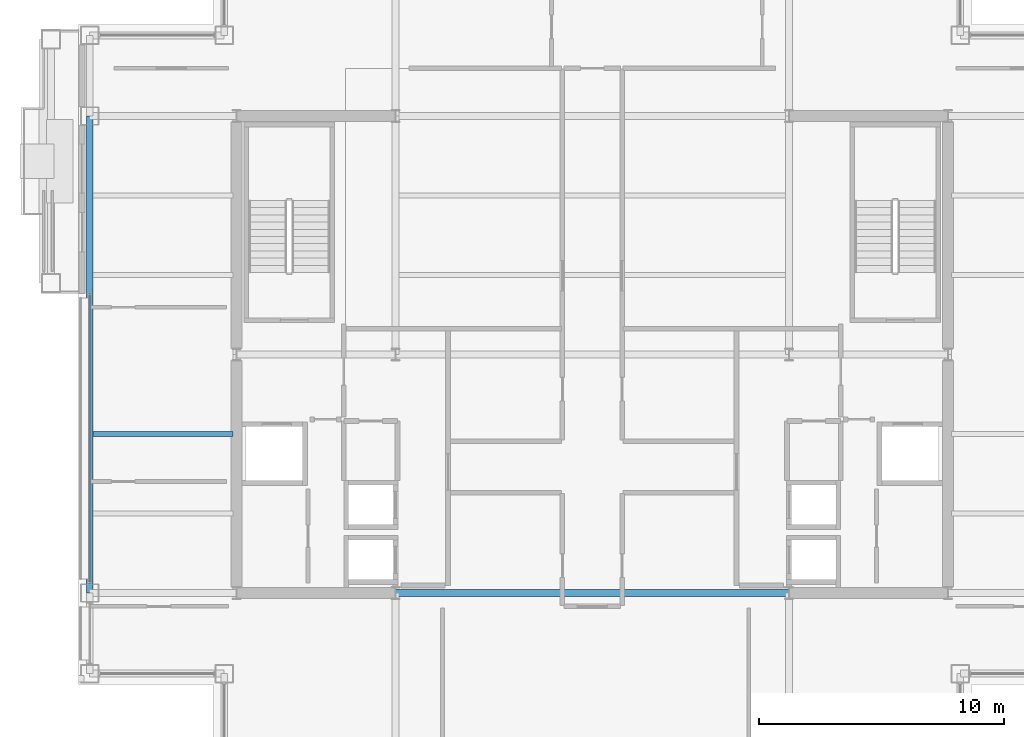
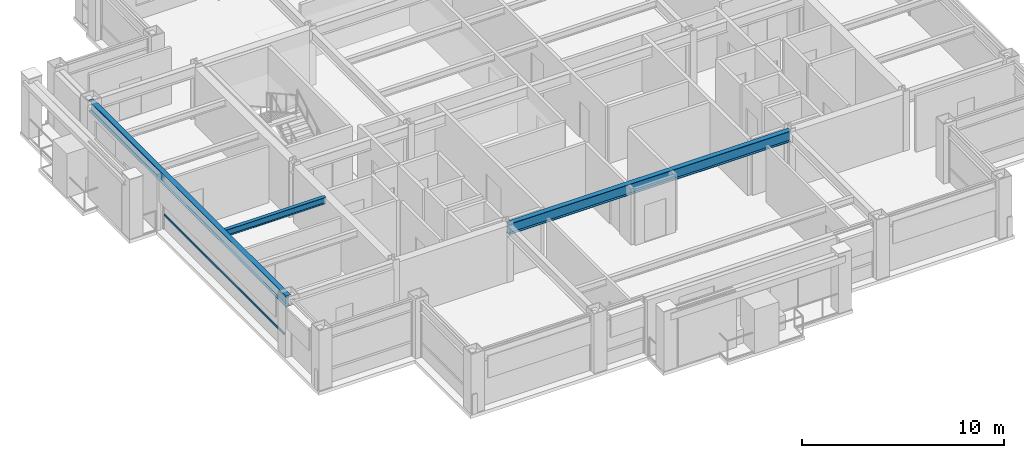
# One storey, part 9 of 31: 3 beams, 1 member, 1 element without a shape of its own.
"""IFC4 building model written with IfcOpenShell, lengths in metres."""

from ifc_helpers import new_model, si_unit, direction, frame, origin, origin_2d, place, context, subcontext, project, spatial, hollow_rectangle, i_section, extrude, material, layer, layer_set, material_profile, profile_set, type_object, element, aggregate, save


model = new_model("IFC4")

# Units and contexts
model_context = context("Model", 3, precision=1e-05, world=origin(), true_north=direction((0.0, 1.0)))
body_context = subcontext(model_context, "Body", "Model", "MODEL_VIEW")
ifc_project = project(units=[si_unit("LENGTHUNIT", "METRE"), si_unit("AREAUNIT", "SQUARE_METRE"), si_unit("VOLUMEUNIT", "CUBIC_METRE"), si_unit("PLANEANGLEUNIT", "RADIAN"), si_unit("MASSUNIT", "GRAM", prefix="KILO")], contexts=[model_context])

# Site, building, storey
site_placement = place(None, origin())
site = spatial("IfcSite", under=ifc_project, at=site_placement, CompositionType="ELEMENT")
building_placement = place(site_placement, origin())
building = spatial("IfcBuilding", under=site, at=building_placement, Name="Brelmoor Portico Tower", CompositionType="ELEMENT")
storey_placement = place(building_placement, frame((0.0, 0.0, 176.699951171875)))
storey = spatial("IfcBuildingStorey", under=building, at=storey_placement, Name="L46", CompositionType="ELEMENT", Elevation=176.699951171875)

# Beams
ifc_material_1 = material(Name="Steel Q355B", Category="steel")
ifc_material_profile_1 = material_profile(ifc_material_1, i_section(OverallWidth=0.199951171875, OverallDepth=0.39990234375, WebThickness=0.008056640625, FlangeThickness=0.012939453125, at=origin_2d()), Name="HN 400x200x8x13")
ifc_profile_set_1 = profile_set([ifc_material_profile_1], Name="Steel Q355B")
beam_type_1 = type_object("IfcBeamType", Name="BM-JS-400", PredefinedType="JOIST", material=ifc_profile_set_1)
beam_1_placement = place(storey_placement, frame((-20.409912109375, -3.25, 3.199951171875), z_axis=(1.0, 0.0, 0.0), x_axis=(0.0, 1.0, 0.0)))
element("IfcBeam", 1, at=beam_1_placement, inside=storey, type_object=beam_type_1, Name="L46 Secondary Wing Joist JS-W06", PredefinedType="JOIST", context=body_context, shape_type="SweptSolid", body=[
    extrude(i_section(OverallWidth=0.199951171875, OverallDepth=0.39990234375, WebThickness=0.008056640625, FlangeThickness=0.012939453125, at=origin_2d()), origin(), (0.0, 0.0, 1.0), 5.719970703125),
])
ifc_material_profile_2 = material_profile(ifc_material_1, i_section(OverallWidth=0.280029296875, OverallDepth=0.64990234375, WebThickness=0.012939453125, FlangeThickness=0.02197265625, at=origin_2d()), Name="HN 650x280x13x22")
ifc_profile_set_2 = profile_set([ifc_material_profile_2], Name="Steel Q355B")
beam_type_2 = type_object("IfcBeamType", Name="BM-PG-650", PredefinedType="BEAM", material=ifc_profile_set_2)
beam_2_placement = place(storey_placement, frame((-8.050048828125, -9.75, 3.074951171875), z_axis=(1.0, 0.0, 0.0), x_axis=(0.0, 1.0, 0.0)))
element("IfcBeam", 2, at=beam_2_placement, inside=storey, type_object=beam_type_2, Name="L46 Primary Floor Girder PG-13", PredefinedType="BEAM", context=body_context, shape_type="SweptSolid", body=[
    extrude(i_section(OverallWidth=0.280029296875, OverallDepth=0.64990234375, WebThickness=0.012939453125, FlangeThickness=0.02197265625, at=origin_2d()), origin(), (0.0, 0.0, 1.0), 16.10009765625),
])
ifc_material_profile_3 = material_profile(ifc_material_1, i_section(OverallWidth=0.280029296875, OverallDepth=0.64990234375, WebThickness=0.012939453125, FlangeThickness=0.02197265625, at=origin_2d()), Name="HN 650x280x13x22")
ifc_profile_set_3 = profile_set([ifc_material_profile_3], Name="Steel Q355B")
beam_type_3 = type_object("IfcBeamType", Name="BM-SP-650", PredefinedType="SPANDREL", material=ifc_profile_set_3)
beam_3_placement = place(storey_placement, frame((-20.550048828125, -9.75, 3.074951171875), z_axis=(0.0, 1.0, 0.0), x_axis=(-1.0, 0.0, 0.0)))
element("IfcBeam", 3, at=beam_3_placement, inside=storey, type_object=beam_type_3, Name="L46 Perimeter Spandrel Beam SP-12", PredefinedType="SPANDREL", context=body_context, shape_type="SweptSolid", body=[
    extrude(i_section(OverallWidth=0.280029296875, OverallDepth=0.64990234375, WebThickness=0.012939453125, FlangeThickness=0.02197265625, at=origin_2d()), origin(), (0.0, 0.0, 1.0), 19.5),
])

# Curtain wall, member
ifc_material_2 = material(Name="Anodised Aluminium Alloy 6063-T6", Category="aluminium")
ifc_layer = layer(ifc_material_2, 0.179931640625)
ifc_layer_set = layer_set([ifc_layer], Name="Anodised Aluminium Alloy 6063-T6")
curtain_wall_type = type_object("IfcCurtainWallType", Name="CW-TOWER-Z3", PredefinedType="NOTDEFINED", material=ifc_layer_set)
curtain_wall_placement = place(storey_placement, origin())
curtain_wall = element("IfcCurtainWall", 4, at=curtain_wall_placement, inside=storey, type_object=curtain_wall_type, Name="L46 Curtain Wall CW-L46-3L-2", PredefinedType="NOTDEFINED")
ifc_material_profile_4 = material_profile(ifc_material_2, hollow_rectangle(XDim=0.06005859375, YDim=0.125, WallThickness=0.00341796875, at=origin_2d()), Name="ALU TRANSOM 60x125")
ifc_profile_set_4 = profile_set([ifc_material_profile_4], Name="Anodised Aluminium Alloy 6063-T6")
member_type = type_object("IfcMemberType", Name="MB-CW-TRAN-125", PredefinedType="USERDEFINED", material=ifc_profile_set_4)
member_placement = place(storey_placement, frame((-20.550048828125, -9.364990234375, 0.85009765625), z_axis=(0.0, 1.0, 0.0), x_axis=(-1.0, 0.0, 0.0)))
member = element("IfcMember", 5, at=member_placement, type_object=member_type, Name="CW-L46-3L-2 Transom 1-00", ObjectType="TRANSOM", PredefinedType="USERDEFINED", context=body_context, shape_type="SweptSolid", body=[
    extrude(hollow_rectangle(XDim=0.06005859375, YDim=0.125, WallThickness=0.00341796875, at=origin_2d()), origin(), (0.0, 0.0, 1.0), 11.864990234375),
])
aggregate(curtain_wall, [member])

save(model, "model.ifc")
